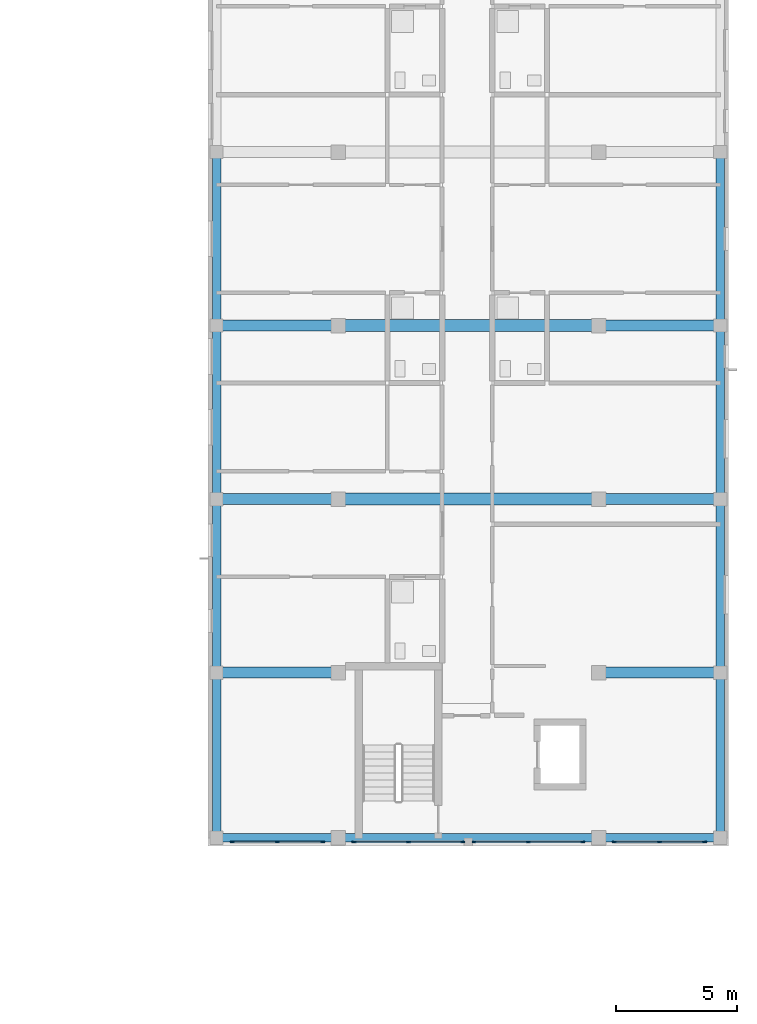
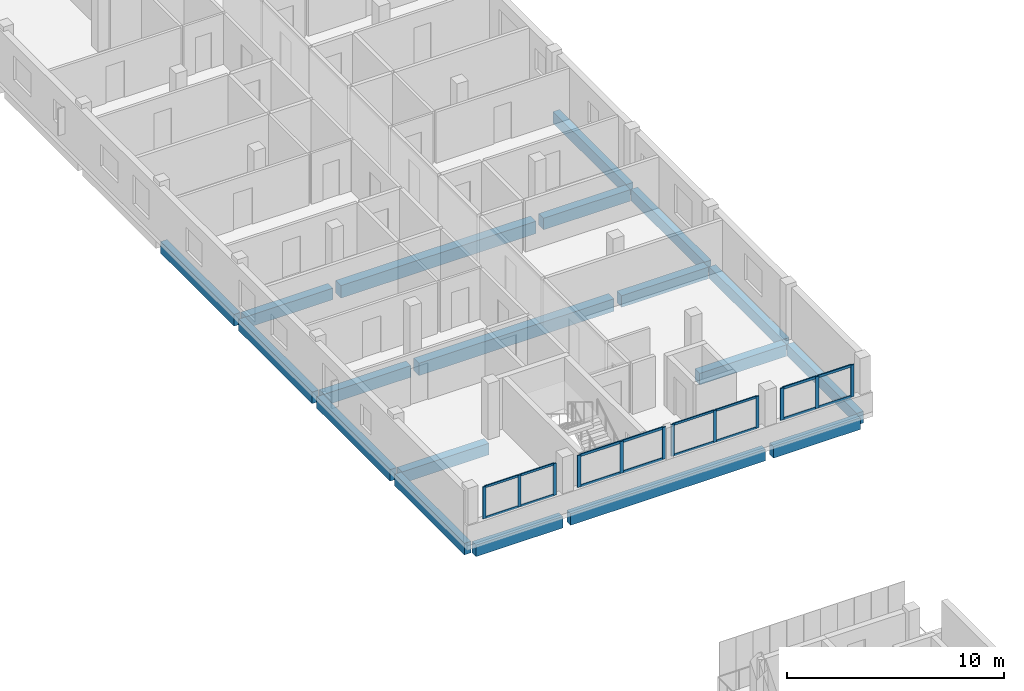
# One storey, part 6 of 35: 28 members, 19 beams, 4 elements without a shape of their own.
"""IFC4 building model written with IfcOpenShell, lengths in metres."""

from ifc_helpers import new_model, si_unit, derived_unit, direction, frame, origin, origin_2d, place, context, subcontext, project, spatial, rectangle, extrude, material, layer, layer_set, material_profile, profile_set, type_object, element, aggregate, save


model = new_model("IFC4")

# Units and contexts
model_context = context("Model", 3, precision=1e-05, world=origin(), true_north=direction((0.0, 1.0)))
body_context = subcontext(model_context, "Body", "Model", "MODEL_VIEW")
ifc_project = project(units=[si_unit("LENGTHUNIT", "METRE"), si_unit("AREAUNIT", "SQUARE_METRE"), si_unit("VOLUMEUNIT", "CUBIC_METRE"), si_unit("PLANEANGLEUNIT", "RADIAN"), si_unit("MASSUNIT", "GRAM", prefix="KILO"), derived_unit("THERMALTRANSMITTANCEUNIT", [(si_unit("MASSUNIT", "GRAM", prefix="KILO"), 1), (si_unit("TIMEUNIT", "SECOND"), -3), (si_unit("THERMODYNAMICTEMPERATUREUNIT", "KELVIN"), -1)])], contexts=[model_context])

# Site, building, storey
site_placement = place(None, origin())
site = spatial("IfcSite", under=ifc_project, at=site_placement, CompositionType="ELEMENT")
building_placement = place(site_placement, origin())
building = spatial("IfcBuilding", under=site, at=building_placement, Name="Ochrekiln Boulevard Commons", CompositionType="ELEMENT")
storey_placement = place(building_placement, frame((0.0, 0.0, 30.97509765625)))
storey = spatial("IfcBuildingStorey", under=building, at=storey_placement, Name="L09", CompositionType="ELEMENT", Elevation=30.97509765625)

# Beams
ifc_material_1 = material(Name="Concrete C35/45", Category="concrete")
ifc_material_profile_1 = material_profile(ifc_material_1, rectangle(XDim=0.449951171875, YDim=0.64990234375, at=origin_2d()), Name="RC-BM-450x650")
ifc_profile_set_1 = profile_set([ifc_material_profile_1], Name="Concrete C35/45")
beam_type_1 = type_object("IfcBeamType", Name="BM-RC-450x650", PredefinedType="BEAM", material=ifc_profile_set_1)
for number, where, z_axis, x_axis, name in (
    (1, (151.760009765625, 75.60009765625, -0.585205078125), (1.0, 0.0, 0.0), (0.0, 1.0, 0.0), "Block B L09 Beam B-4565 X4"),
    (2, (167.610107421875, 75.60009765625, -0.585205078125), (1.0, 0.0, 0.0), (0.0, 1.0, 0.0), "Block B L09 Beam B-4565 X5"),
    (3, (151.760009765625, 82.800048828125, -0.585205078125), (1.0, 0.0, 0.0), (0.0, 1.0, 0.0), "Block B L09 Beam B-4565 X6"),
    (4, (167.610107421875, 82.800048828125, -0.585205078125), (1.0, 0.0, 0.0), (0.0, 1.0, 0.0), "Block B L09 Beam B-4565 X8"),
    (5, (151.760009765625, 90.0, -0.585205078125), (1.0, 0.0, 0.0), (0.0, 1.0, 0.0), "Block B L09 Beam B-4565 X9"),
    (6, (167.610107421875, 90.0, -0.585205078125), (1.0, 0.0, 0.0), (0.0, 1.0, 0.0), "Block B L09 Beam B-4565 X11"),
):
    element("IfcBeam", number, at=place(storey_placement, frame(where, z_axis=z_axis, x_axis=x_axis)), inside=storey, type_object=beam_type_1, Name=name, PredefinedType="BEAM", context=body_context, shape_type="SweptSolid", body=[
        extrude(rectangle(XDim=0.449951171875, YDim=0.64990234375, at=origin_2d()), origin(), (0.0, 0.0, 1.0), 4.6298828125),
    ])
ifc_material_2 = material(Name="Concrete C40/50", Category="concrete")
ifc_material_profile_2 = material_profile(ifc_material_2, rectangle(XDim=0.5, YDim=0.699951171875, at=origin_2d()), Name="RC-BM-500x700")
ifc_profile_set_2 = profile_set([ifc_material_profile_2], Name="Concrete C40/50")
beam_type_2 = type_object("IfcBeamType", Name="BM-RC-500x700", PredefinedType="BEAM", material=ifc_profile_set_2)
for number, where, z_axis, x_axis, name in (
    (7, (156.81005859375, 82.800048828125, -0.610107421875), (1.0, 0.0, 0.0), (0.0, 1.0, 0.0), "Block B L09 Beam B-5070 X7"),
    (8, (156.81005859375, 90.0, -0.610107421875), (1.0, 0.0, 0.0), (0.0, 1.0, 0.0), "Block B L09 Beam B-5070 X10"),
):
    element("IfcBeam", number, at=place(storey_placement, frame(where, z_axis=z_axis, x_axis=x_axis)), inside=storey, type_object=beam_type_2, Name=name, PredefinedType="BEAM", context=body_context, shape_type="SweptSolid", body=[
        extrude(rectangle(XDim=0.5, YDim=0.699951171875, at=origin_2d()), origin(), (0.0, 0.0, 1.0), 10.3798828125),
    ])

# Curtain wall, members
ifc_material_3 = material(Name="Bronze-anodized extruded aluminium 6063-T6", Category="aluminium")
ifc_layer = layer(ifc_material_3, 0.18408203125)
ifc_layer_set = layer_set([ifc_layer], Name="Bronze-anodized extruded aluminium 6063-T6")
curtain_wall_type = type_object("IfcCurtainWallType", Name="CW-GABLE-B", PredefinedType="USERDEFINED", material=ifc_layer_set)
curtain_wall_1_placement = place(storey_placement, origin())
curtain_wall_1 = element("IfcCurtainWall", 9, at=curtain_wall_1_placement, inside=storey, type_object=curtain_wall_type, Name="Block B L09 Courtyard Glazed Gable Curtain Wall 1", ObjectType="GLAZED CURTAIN WALL", PredefinedType="USERDEFINED")
ifc_material_profile_3 = material_profile(ifc_material_3, rectangle(XDim=0.06005859375, YDim=0.159912109375, at=origin_2d()), Name="ALU-MUL-60x160")
ifc_profile_set_3 = profile_set([ifc_material_profile_3], Name="Bronze-anodized extruded aluminium 6063-T6")
member_type_1 = type_object("IfcMemberType", Name="CWM-60x160", PredefinedType="MULLION", material=ifc_profile_set_3)
member_1_placement = place(storey_placement, frame((152.199951171875, 68.570068359375, 1.10986328125), z_axis=(0.0, 0.0, 1.0), x_axis=(0.0, 1.0, 0.0)))
member_1 = element("IfcMember", 10, at=member_1_placement, type_object=member_type_1, Name="CW-02 mullion 1", PredefinedType="MULLION", context=body_context, shape_type="SweptSolid", body=[
    extrude(rectangle(XDim=0.06005859375, YDim=0.159912109375, at=origin_2d()), origin(), (0.0, 0.0, 1.0), 1.7900390625),
])
member_2_placement = place(storey_placement, frame((154.074951171875, 68.570068359375, 1.10986328125), z_axis=(0.0, 0.0, 1.0), x_axis=(0.0, 1.0, 0.0)))
member_2 = element("IfcMember", 11, at=member_2_placement, type_object=member_type_1, Name="CW-02 mullion 2", PredefinedType="MULLION", context=body_context, shape_type="SweptSolid", body=[
    extrude(rectangle(XDim=0.06005859375, YDim=0.159912109375, at=origin_2d()), origin(), (0.0, 0.0, 1.0), 1.7900390625),
])
member_3_placement = place(storey_placement, frame((155.949951171875, 68.570068359375, 1.10986328125), z_axis=(0.0, 0.0, 1.0), x_axis=(0.0, 1.0, 0.0)))
member_3 = element("IfcMember", 12, at=member_3_placement, type_object=member_type_1, Name="CW-02 mullion 3", PredefinedType="MULLION", context=body_context, shape_type="SweptSolid", body=[
    extrude(rectangle(XDim=0.06005859375, YDim=0.159912109375, at=origin_2d()), origin(), (0.0, 0.0, 1.0), 1.7900390625),
])

curtain_wall_2_placement = place(storey_placement, origin())
curtain_wall_2 = element("IfcCurtainWall", 13, at=curtain_wall_2_placement, inside=storey, type_object=curtain_wall_type, Name="Block B L09 Courtyard Glazed Gable Curtain Wall 3", ObjectType="GLAZED CURTAIN WALL", PredefinedType="USERDEFINED")
member_4_placement = place(storey_placement, frame((162.22998046875, 68.570068359375, 1.10986328125), z_axis=(0.0, 0.0, 1.0), x_axis=(0.0, 1.0, 0.0)))
member_4 = element("IfcMember", 14, at=member_4_placement, type_object=member_type_1, Name="CW-02 mullion 1", PredefinedType="MULLION", context=body_context, shape_type="SweptSolid", body=[
    extrude(rectangle(XDim=0.06005859375, YDim=0.159912109375, at=origin_2d()), origin(), (0.0, 0.0, 1.0), 1.7900390625),
])
member_5_placement = place(storey_placement, frame((164.489990234375, 68.570068359375, 1.10986328125), z_axis=(0.0, 0.0, 1.0), x_axis=(0.0, 1.0, 0.0)))
member_5 = element("IfcMember", 15, at=member_5_placement, type_object=member_type_1, Name="CW-02 mullion 2", PredefinedType="MULLION", context=body_context, shape_type="SweptSolid", body=[
    extrude(rectangle(XDim=0.06005859375, YDim=0.159912109375, at=origin_2d()), origin(), (0.0, 0.0, 1.0), 1.7900390625),
])
member_6_placement = place(storey_placement, frame((166.75, 68.570068359375, 1.10986328125), z_axis=(0.0, 0.0, 1.0), x_axis=(0.0, 1.0, 0.0)))
member_6 = element("IfcMember", 16, at=member_6_placement, type_object=member_type_1, Name="CW-02 mullion 3", PredefinedType="MULLION", context=body_context, shape_type="SweptSolid", body=[
    extrude(rectangle(XDim=0.06005859375, YDim=0.159912109375, at=origin_2d()), origin(), (0.0, 0.0, 1.0), 1.7900390625),
])

curtain_wall_3_placement = place(storey_placement, origin())
curtain_wall_3 = element("IfcCurtainWall", 17, at=curtain_wall_3_placement, inside=storey, type_object=curtain_wall_type, Name="Block B L09 Courtyard Glazed Gable Curtain Wall 2", ObjectType="GLAZED CURTAIN WALL", PredefinedType="USERDEFINED")
ifc_material_profile_4 = material_profile(ifc_material_3, rectangle(XDim=0.06494140625, YDim=0.179931640625, at=origin_2d()), Name="ALU-MUL-65x180")
ifc_profile_set_4 = profile_set([ifc_material_profile_4], Name="Bronze-anodized extruded aluminium 6063-T6")
member_type_2 = type_object("IfcMemberType", Name="CWM-65x180", PredefinedType="MULLION", material=ifc_profile_set_4)
member_7_placement = place(storey_placement, frame((157.25244140625, 68.570068359375, 1.10986328125), z_axis=(0.0, 0.0, 1.0), x_axis=(0.0, 1.0, 0.0)))
member_7 = element("IfcMember", 18, at=member_7_placement, type_object=member_type_2, Name="CW-02 mullion 1", PredefinedType="MULLION", context=body_context, shape_type="SweptSolid", body=[
    extrude(rectangle(XDim=0.06494140625, YDim=0.179931640625, at=origin_2d()), origin(), (0.0, 0.0, 1.0), 1.7900390625),
])
member_8_placement = place(storey_placement, frame((159.510009765625, 68.570068359375, 1.10986328125), z_axis=(0.0, 0.0, 1.0), x_axis=(0.0, 1.0, 0.0)))
member_8 = element("IfcMember", 19, at=member_8_placement, type_object=member_type_2, Name="CW-02 mullion 2", PredefinedType="MULLION", context=body_context, shape_type="SweptSolid", body=[
    extrude(rectangle(XDim=0.06494140625, YDim=0.179931640625, at=origin_2d()), origin(), (0.0, 0.0, 1.0), 1.7900390625),
])
member_9_placement = place(storey_placement, frame((161.767578125, 68.570068359375, 1.10986328125), z_axis=(0.0, 0.0, 1.0), x_axis=(0.0, 1.0, 0.0)))
member_9 = element("IfcMember", 20, at=member_9_placement, type_object=member_type_2, Name="CW-02 mullion 3", PredefinedType="MULLION", context=body_context, shape_type="SweptSolid", body=[
    extrude(rectangle(XDim=0.06494140625, YDim=0.179931640625, at=origin_2d()), origin(), (0.0, 0.0, 1.0), 1.7900390625),
])

curtain_wall_4_placement = place(storey_placement, origin())
curtain_wall_4 = element("IfcCurtainWall", 21, at=curtain_wall_4_placement, inside=storey, type_object=curtain_wall_type, Name="Block B L09 Courtyard Glazed Gable Curtain Wall 4", ObjectType="GLAZED CURTAIN WALL", PredefinedType="USERDEFINED")
member_10_placement = place(storey_placement, frame((168.052490234375, 68.570068359375, 1.10986328125), z_axis=(0.0, 0.0, 1.0), x_axis=(0.0, 1.0, 0.0)))
member_10 = element("IfcMember", 22, at=member_10_placement, type_object=member_type_2, Name="CW-02 mullion 1", PredefinedType="MULLION", context=body_context, shape_type="SweptSolid", body=[
    extrude(rectangle(XDim=0.06494140625, YDim=0.179931640625, at=origin_2d()), origin(), (0.0, 0.0, 1.0), 1.7900390625),
])
member_11_placement = place(storey_placement, frame((169.925048828125, 68.570068359375, 1.10986328125), z_axis=(0.0, 0.0, 1.0), x_axis=(0.0, 1.0, 0.0)))
member_11 = element("IfcMember", 23, at=member_11_placement, type_object=member_type_2, Name="CW-02 mullion 2", PredefinedType="MULLION", context=body_context, shape_type="SweptSolid", body=[
    extrude(rectangle(XDim=0.06494140625, YDim=0.179931640625, at=origin_2d()), origin(), (0.0, 0.0, 1.0), 1.7900390625),
])
member_12_placement = place(storey_placement, frame((171.797607421875, 68.570068359375, 1.10986328125), z_axis=(0.0, 0.0, 1.0), x_axis=(0.0, 1.0, 0.0)))
member_12 = element("IfcMember", 24, at=member_12_placement, type_object=member_type_2, Name="CW-02 mullion 3", PredefinedType="MULLION", context=body_context, shape_type="SweptSolid", body=[
    extrude(rectangle(XDim=0.06494140625, YDim=0.179931640625, at=origin_2d()), origin(), (0.0, 0.0, 1.0), 1.7900390625),
])

# Member
ifc_material_profile_5 = material_profile(ifc_material_3, rectangle(XDim=0.06005859375, YDim=0.1201171875, at=origin_2d()), Name="ALU-TRN-60x120")
ifc_profile_set_5 = profile_set([ifc_material_profile_5], Name="Bronze-anodized extruded aluminium 6063-T6")
member_type_3 = type_object("IfcMemberType", Name="CWT-60x120", PredefinedType="USERDEFINED", material=ifc_profile_set_5)
member_13_placement = place(storey_placement, frame((152.22998046875, 68.570068359375, 1.139892578125), z_axis=(1.0, 0.0, 0.0), x_axis=(0.0, 1.0, 0.0)))
member_13 = element("IfcMember", 25, at=member_13_placement, type_object=member_type_3, Name="CW-02 transom 1.1", ObjectType="TRANSOM", PredefinedType="USERDEFINED", context=body_context, shape_type="SweptSolid", body=[
    extrude(rectangle(XDim=0.06005859375, YDim=0.1201171875, at=origin_2d()), origin(), (0.0, 0.0, 1.0), 1.81494140625),
])

member_14_placement = place(storey_placement, frame((152.22998046875, 68.570068359375, 2.869873046875), z_axis=(1.0, 0.0, 0.0), x_axis=(0.0, 1.0, 0.0)))
member_14 = element("IfcMember", 26, at=member_14_placement, type_object=member_type_3, Name="CW-02 transom 1.2", ObjectType="TRANSOM", PredefinedType="USERDEFINED", context=body_context, shape_type="SweptSolid", body=[
    extrude(rectangle(XDim=0.06005859375, YDim=0.1201171875, at=origin_2d()), origin(), (0.0, 0.0, 1.0), 1.81494140625),
])

member_15_placement = place(storey_placement, frame((154.10498046875, 68.570068359375, 1.139892578125), z_axis=(1.0, 0.0, 0.0), x_axis=(0.0, 1.0, 0.0)))
member_15 = element("IfcMember", 27, at=member_15_placement, type_object=member_type_3, Name="CW-02 transom 2.1", ObjectType="TRANSOM", PredefinedType="USERDEFINED", context=body_context, shape_type="SweptSolid", body=[
    extrude(rectangle(XDim=0.06005859375, YDim=0.1201171875, at=origin_2d()), origin(), (0.0, 0.0, 1.0), 1.81494140625),
])

member_16_placement = place(storey_placement, frame((154.10498046875, 68.570068359375, 2.869873046875), z_axis=(1.0, 0.0, 0.0), x_axis=(0.0, 1.0, 0.0)))
member_16 = element("IfcMember", 28, at=member_16_placement, type_object=member_type_3, Name="CW-02 transom 2.2", ObjectType="TRANSOM", PredefinedType="USERDEFINED", context=body_context, shape_type="SweptSolid", body=[
    extrude(rectangle(XDim=0.06005859375, YDim=0.1201171875, at=origin_2d()), origin(), (0.0, 0.0, 1.0), 1.81494140625),
])

aggregate(curtain_wall_1, [member_1, member_2, member_3, member_13, member_14, member_15, member_16])

member_17_placement = place(storey_placement, frame((162.260009765625, 68.570068359375, 1.139892578125), z_axis=(1.0, 0.0, 0.0), x_axis=(0.0, 1.0, 0.0)))
member_17 = element("IfcMember", 29, at=member_17_placement, type_object=member_type_3, Name="CW-02 transom 1.1", ObjectType="TRANSOM", PredefinedType="USERDEFINED", context=body_context, shape_type="SweptSolid", body=[
    extrude(rectangle(XDim=0.06005859375, YDim=0.1201171875, at=origin_2d()), origin(), (0.0, 0.0, 1.0), 2.199951171875),
])

member_18_placement = place(storey_placement, frame((162.260009765625, 68.570068359375, 2.869873046875), z_axis=(1.0, 0.0, 0.0), x_axis=(0.0, 1.0, 0.0)))
member_18 = element("IfcMember", 30, at=member_18_placement, type_object=member_type_3, Name="CW-02 transom 1.2", ObjectType="TRANSOM", PredefinedType="USERDEFINED", context=body_context, shape_type="SweptSolid", body=[
    extrude(rectangle(XDim=0.06005859375, YDim=0.1201171875, at=origin_2d()), origin(), (0.0, 0.0, 1.0), 2.199951171875),
])

member_19_placement = place(storey_placement, frame((164.52001953125, 68.570068359375, 1.139892578125), z_axis=(1.0, 0.0, 0.0), x_axis=(0.0, 1.0, 0.0)))
member_19 = element("IfcMember", 31, at=member_19_placement, type_object=member_type_3, Name="CW-02 transom 2.1", ObjectType="TRANSOM", PredefinedType="USERDEFINED", context=body_context, shape_type="SweptSolid", body=[
    extrude(rectangle(XDim=0.06005859375, YDim=0.1201171875, at=origin_2d()), origin(), (0.0, 0.0, 1.0), 2.199951171875),
])

member_20_placement = place(storey_placement, frame((164.52001953125, 68.570068359375, 2.869873046875), z_axis=(1.0, 0.0, 0.0), x_axis=(0.0, 1.0, 0.0)))
member_20 = element("IfcMember", 32, at=member_20_placement, type_object=member_type_3, Name="CW-02 transom 2.2", ObjectType="TRANSOM", PredefinedType="USERDEFINED", context=body_context, shape_type="SweptSolid", body=[
    extrude(rectangle(XDim=0.06005859375, YDim=0.1201171875, at=origin_2d()), origin(), (0.0, 0.0, 1.0), 2.199951171875),
])

aggregate(curtain_wall_2, [member_4, member_5, member_6, member_17, member_18, member_19, member_20])

ifc_material_profile_6 = material_profile(ifc_material_3, rectangle(XDim=0.06494140625, YDim=0.139892578125, at=origin_2d()), Name="ALU-TRN-65x140")
ifc_profile_set_6 = profile_set([ifc_material_profile_6], Name="Bronze-anodized extruded aluminium 6063-T6")
member_type_4 = type_object("IfcMemberType", Name="CWT-65x140", PredefinedType="USERDEFINED", material=ifc_profile_set_6)
member_21_placement = place(storey_placement, frame((157.284912109375, 68.570068359375, 1.142333984375), z_axis=(1.0, 0.0, 0.0), x_axis=(0.0, 1.0, 0.0)))
member_21 = element("IfcMember", 33, at=member_21_placement, type_object=member_type_4, Name="CW-02 transom 1.1", ObjectType="TRANSOM", PredefinedType="USERDEFINED", context=body_context, shape_type="SweptSolid", body=[
    extrude(rectangle(XDim=0.06494140625, YDim=0.139892578125, at=origin_2d()), origin(), (0.0, 0.0, 1.0), 2.192626953125),
])

member_22_placement = place(storey_placement, frame((157.284912109375, 68.570068359375, 2.867431640625), z_axis=(1.0, 0.0, 0.0), x_axis=(0.0, 1.0, 0.0)))
member_22 = element("IfcMember", 34, at=member_22_placement, type_object=member_type_4, Name="CW-02 transom 1.2", ObjectType="TRANSOM", PredefinedType="USERDEFINED", context=body_context, shape_type="SweptSolid", body=[
    extrude(rectangle(XDim=0.06494140625, YDim=0.139892578125, at=origin_2d()), origin(), (0.0, 0.0, 1.0), 2.192626953125),
])

member_23_placement = place(storey_placement, frame((159.54248046875, 68.570068359375, 1.142333984375), z_axis=(1.0, 0.0, 0.0), x_axis=(0.0, 1.0, 0.0)))
member_23 = element("IfcMember", 35, at=member_23_placement, type_object=member_type_4, Name="CW-02 transom 2.1", ObjectType="TRANSOM", PredefinedType="USERDEFINED", context=body_context, shape_type="SweptSolid", body=[
    extrude(rectangle(XDim=0.06494140625, YDim=0.139892578125, at=origin_2d()), origin(), (0.0, 0.0, 1.0), 2.192626953125),
])

member_24_placement = place(storey_placement, frame((159.54248046875, 68.570068359375, 2.867431640625), z_axis=(1.0, 0.0, 0.0), x_axis=(0.0, 1.0, 0.0)))
member_24 = element("IfcMember", 36, at=member_24_placement, type_object=member_type_4, Name="CW-02 transom 2.2", ObjectType="TRANSOM", PredefinedType="USERDEFINED", context=body_context, shape_type="SweptSolid", body=[
    extrude(rectangle(XDim=0.06494140625, YDim=0.139892578125, at=origin_2d()), origin(), (0.0, 0.0, 1.0), 2.192626953125),
])

aggregate(curtain_wall_3, [member_7, member_8, member_9, member_21, member_22, member_23, member_24])

member_25_placement = place(storey_placement, frame((168.0849609375, 68.570068359375, 1.142333984375), z_axis=(1.0, 0.0, 0.0), x_axis=(0.0, 1.0, 0.0)))
member_25 = element("IfcMember", 37, at=member_25_placement, type_object=member_type_4, Name="CW-02 transom 1.1", ObjectType="TRANSOM", PredefinedType="USERDEFINED", context=body_context, shape_type="SweptSolid", body=[
    extrude(rectangle(XDim=0.06494140625, YDim=0.139892578125, at=origin_2d()), origin(), (0.0, 0.0, 1.0), 1.8076171875),
])

member_26_placement = place(storey_placement, frame((168.0849609375, 68.570068359375, 2.867431640625), z_axis=(1.0, 0.0, 0.0), x_axis=(0.0, 1.0, 0.0)))
member_26 = element("IfcMember", 38, at=member_26_placement, type_object=member_type_4, Name="CW-02 transom 1.2", ObjectType="TRANSOM", PredefinedType="USERDEFINED", context=body_context, shape_type="SweptSolid", body=[
    extrude(rectangle(XDim=0.06494140625, YDim=0.139892578125, at=origin_2d()), origin(), (0.0, 0.0, 1.0), 1.8076171875),
])

member_27_placement = place(storey_placement, frame((169.95751953125, 68.570068359375, 1.142333984375), z_axis=(1.0, 0.0, 0.0), x_axis=(0.0, 1.0, 0.0)))
member_27 = element("IfcMember", 39, at=member_27_placement, type_object=member_type_4, Name="CW-02 transom 2.1", ObjectType="TRANSOM", PredefinedType="USERDEFINED", context=body_context, shape_type="SweptSolid", body=[
    extrude(rectangle(XDim=0.06494140625, YDim=0.139892578125, at=origin_2d()), origin(), (0.0, 0.0, 1.0), 1.807373046875),
])

member_28_placement = place(storey_placement, frame((169.95751953125, 68.570068359375, 2.867431640625), z_axis=(1.0, 0.0, 0.0), x_axis=(0.0, 1.0, 0.0)))
member_28 = element("IfcMember", 40, at=member_28_placement, type_object=member_type_4, Name="CW-02 transom 2.2", ObjectType="TRANSOM", PredefinedType="USERDEFINED", context=body_context, shape_type="SweptSolid", body=[
    extrude(rectangle(XDim=0.06494140625, YDim=0.139892578125, at=origin_2d()), origin(), (0.0, 0.0, 1.0), 1.807373046875),
])

aggregate(curtain_wall_4, [member_10, member_11, member_12, member_25, member_26, member_27, member_28])

# Beams
ifc_material_profile_7 = material_profile(ifc_material_2, rectangle(XDim=0.35009765625, YDim=0.64990234375, at=origin_2d()), Name="RC-SPN-350x650")
ifc_profile_set_7 = profile_set([ifc_material_profile_7], Name="Concrete C40/50")
beam_type_3 = type_object("IfcBeamType", Name="SPN-RC-350x650", PredefinedType="SPANDREL", material=ifc_profile_set_7)
beam_1_placement = place(storey_placement, frame((151.760009765625, 68.75, -0.585205078125), z_axis=(1.0, 0.0, 0.0), x_axis=(0.0, 1.0, 0.0)))
element("IfcBeam", 41, at=beam_1_placement, inside=storey, type_object=beam_type_3, Name="Block B L09 Beam SP-3565 X1", PredefinedType="SPANDREL", context=body_context, shape_type="SweptSolid", body=[
    extrude(rectangle(XDim=0.35009765625, YDim=0.64990234375, at=origin_2d()), origin(), (0.0, 0.0, 1.0), 4.6298828125),
])
beam_2_placement = place(storey_placement, frame((156.81005859375, 68.75, -0.585205078125), z_axis=(1.0, 0.0, 0.0), x_axis=(0.0, 1.0, 0.0)))
element("IfcBeam", 42, at=beam_2_placement, inside=storey, type_object=beam_type_3, Name="Block B L09 Beam SP-3565 X2", PredefinedType="SPANDREL", context=body_context, shape_type="SweptSolid", body=[
    extrude(rectangle(XDim=0.35009765625, YDim=0.64990234375, at=origin_2d()), origin(), (0.0, 0.0, 1.0), 10.3798828125),
])
beam_3_placement = place(storey_placement, frame((167.610107421875, 68.75, -0.585205078125), z_axis=(1.0, 0.0, 0.0), x_axis=(0.0, 1.0, 0.0)))
element("IfcBeam", 43, at=beam_3_placement, inside=storey, type_object=beam_type_3, Name="Block B L09 Beam SP-3565 X3", PredefinedType="SPANDREL", context=body_context, shape_type="SweptSolid", body=[
    extrude(rectangle(XDim=0.35009765625, YDim=0.64990234375, at=origin_2d()), origin(), (0.0, 0.0, 1.0), 4.6298828125),
])
beam_4_placement = place(storey_placement, frame((151.550048828125, 68.9599609375, -0.585205078125), z_axis=(0.0, 1.0, 0.0), x_axis=(-1.0, 0.0, 0.0)))
element("IfcBeam", 44, at=beam_4_placement, inside=storey, type_object=beam_type_3, Name="Block B L09 Beam SP-3565 Y23", PredefinedType="SPANDREL", context=body_context, shape_type="SweptSolid", body=[
    extrude(rectangle(XDim=0.35009765625, YDim=0.64990234375, at=origin_2d()), origin(), (0.0, 0.0, 1.0), 6.429931640625),
])
for number, where, z_axis, x_axis, name in (
    (45, (151.550048828125, 75.81005859375, -0.585205078125), (0.0, 1.0, 0.0), (-1.0, 0.0, 0.0), "Block B L09 Beam SP-3565 Y24"),
    (46, (151.550048828125, 83.010009765625, -0.585205078125), (0.0, 1.0, 0.0), (-1.0, 0.0, 0.0), "Block B L09 Beam SP-3565 Y25"),
    (47, (151.550048828125, 90.2099609375, -0.585205078125), (0.0, 1.0, 0.0), (-1.0, 0.0, 0.0), "Block B L09 Beam SP-3565 Y26"),
):
    element("IfcBeam", number, at=place(storey_placement, frame(where, z_axis=z_axis, x_axis=x_axis)), inside=storey, type_object=beam_type_3, Name=name, PredefinedType="SPANDREL", context=body_context, shape_type="SweptSolid", body=[
        extrude(rectangle(XDim=0.35009765625, YDim=0.64990234375, at=origin_2d()), origin(), (0.0, 0.0, 1.0), 6.780029296875),
    ])
beam_5_placement = place(storey_placement, frame((172.449951171875, 68.9599609375, -0.585205078125), z_axis=(0.0, 1.0, 0.0), x_axis=(-1.0, 0.0, 0.0)))
element("IfcBeam", 48, at=beam_5_placement, inside=storey, type_object=beam_type_3, Name="Block B L09 Beam SP-3565 Y30", PredefinedType="SPANDREL", context=body_context, shape_type="SweptSolid", body=[
    extrude(rectangle(XDim=0.35009765625, YDim=0.64990234375, at=origin_2d()), origin(), (0.0, 0.0, 1.0), 6.429931640625),
])
for number, where, z_axis, x_axis, name in (
    (49, (172.449951171875, 75.81005859375, -0.585205078125), (0.0, 1.0, 0.0), (-1.0, 0.0, 0.0), "Block B L09 Beam SP-3565 Y31"),
    (50, (172.449951171875, 83.010009765625, -0.585205078125), (0.0, 1.0, 0.0), (-1.0, 0.0, 0.0), "Block B L09 Beam SP-3565 Y32"),
    (51, (172.449951171875, 90.2099609375, -0.585205078125), (0.0, 1.0, 0.0), (-1.0, 0.0, 0.0), "Block B L09 Beam SP-3565 Y33"),
):
    element("IfcBeam", number, at=place(storey_placement, frame(where, z_axis=z_axis, x_axis=x_axis)), inside=storey, type_object=beam_type_3, Name=name, PredefinedType="SPANDREL", context=body_context, shape_type="SweptSolid", body=[
        extrude(rectangle(XDim=0.35009765625, YDim=0.64990234375, at=origin_2d()), origin(), (0.0, 0.0, 1.0), 6.780029296875),
    ])

save(model, "model.ifc")
